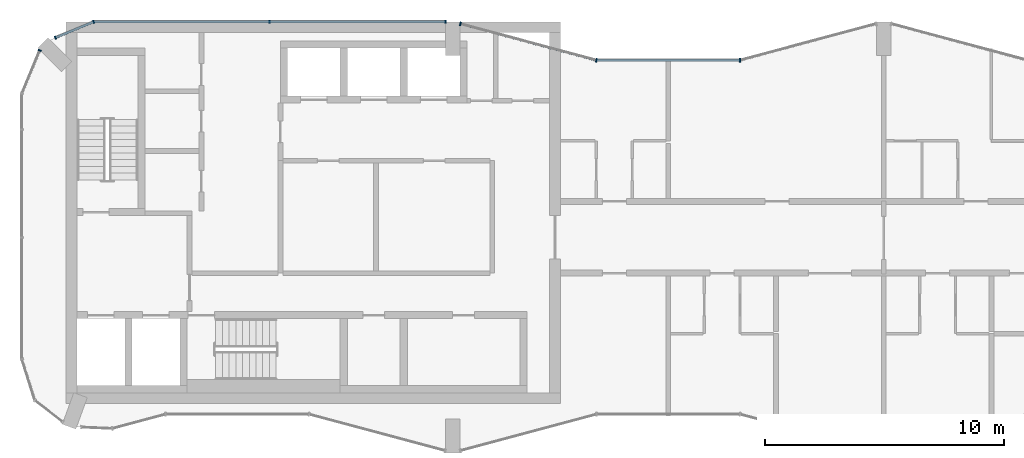
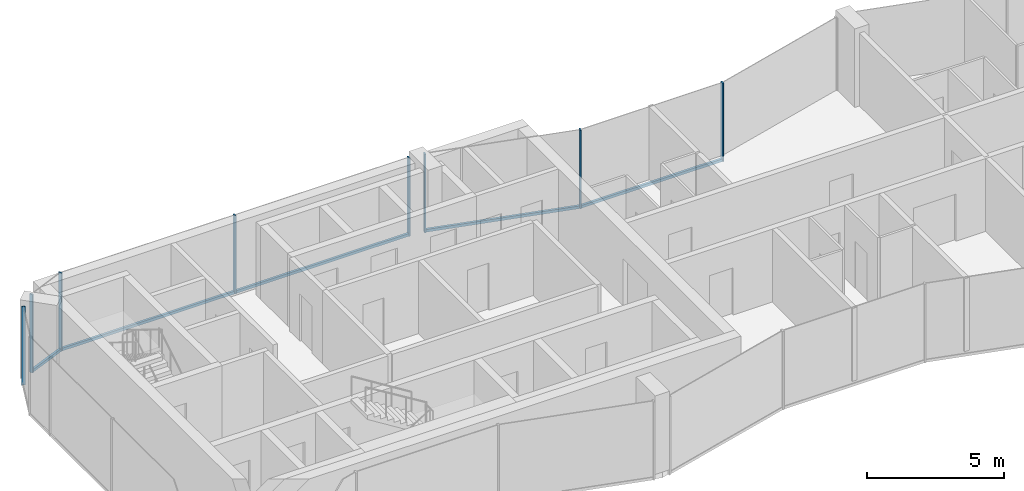
# One storey, part 4 of 10: 12 members, 5 elements without a shape of their own.
"""IFC4 building model written with IfcOpenShell, lengths in metres."""

from ifc_helpers import new_model, si_unit, direction, frame, origin, origin_2d, place, context, subcontext, project, spatial, rectangle, extrude, material, layer, layer_set, material_profile, profile_set, type_object, element, aggregate, save


model = new_model("IFC4")

# Units and contexts
model_context = context("Model", 3, precision=1e-05, world=origin(), true_north=direction((0.0, 1.0)))
body_context = subcontext(model_context, "Body", "Model", "MODEL_VIEW")
ifc_project = project(units=[si_unit("LENGTHUNIT", "METRE"), si_unit("AREAUNIT", "SQUARE_METRE"), si_unit("VOLUMEUNIT", "CUBIC_METRE"), si_unit("PLANEANGLEUNIT", "RADIAN"), si_unit("MASSUNIT", "GRAM", prefix="KILO")], contexts=[model_context])

# Site, building, storey
site_placement = place(None, origin())
site = spatial("IfcSite", under=ifc_project, at=site_placement, CompositionType="ELEMENT")
building_placement = place(site_placement, origin())
building = spatial("IfcBuilding", under=site, at=building_placement, Name="Plateau Cross Towers", CompositionType="ELEMENT")
storey_placement = place(building_placement, frame((0.0, 0.0, 263.39990234375)))
storey = spatial("IfcBuildingStorey", under=building, at=storey_placement, Name="L69", CompositionType="ELEMENT", Elevation=263.39990234375)

# Curtain wall, members
ifc_material_1 = material(Name="Dark low-iron glass", Category="glass")
ifc_layer_1 = layer(ifc_material_1, 0.239990234375)
ifc_layer_set_1 = layer_set([ifc_layer_1], Name="Dark low-iron glass")
curtain_wall_type_1 = type_object("IfcCurtainWallType", Name="Curtain wall flush unitised CW-B", PredefinedType="NOTDEFINED", material=ifc_layer_set_1)
curtain_wall_1_placement = place(storey_placement, origin())
curtain_wall_1 = element("IfcCurtainWall", 1, at=curtain_wall_1_placement, inside=storey, type_object=curtain_wall_type_1, Name="ENV/A/L69/A177_180", PredefinedType="NOTDEFINED")
ifc_material_2 = material(Name="Black anodised aluminium", Category="aluminium")
ifc_material_profile_1 = material_profile(ifc_material_2, rectangle(XDim=0.06005859375, YDim=0.139892578125, at=origin_2d()), Name="MULLION 60x140")
ifc_profile_set_1 = profile_set([ifc_material_profile_1], Name="Black anodised aluminium")
member_type_1 = type_object("IfcMemberType", Name="Mullion 60x140 flush unitised", PredefinedType="MULLION", material=ifc_profile_set_1)
member_1_placement = place(storey_placement, frame((17.699951171875, 18.0, -0.25), z_axis=(0.0, 0.0, 1.0), x_axis=(-1.0, 0.0, 0.0)))
member_1 = element("IfcMember", 2, at=member_1_placement, type_object=member_type_1, Name="CW-B mullion 1", PredefinedType="MULLION", context=body_context, shape_type="SweptSolid", body=[
    extrude(rectangle(XDim=0.06005859375, YDim=0.139892578125, at=origin_2d()), origin(), (0.0, 0.0, 1.0), 3.5),
])
member_2_placement = place(storey_placement, frame((10.35009765625, 18.0, -0.25), z_axis=(0.0, 0.0, 1.0), x_axis=(-1.0, 0.0, 0.0)))
member_2 = element("IfcMember", 3, at=member_2_placement, type_object=member_type_1, Name="CW-B mullion 2", PredefinedType="MULLION", context=body_context, shape_type="SweptSolid", body=[
    extrude(rectangle(XDim=0.06005859375, YDim=0.139892578125, at=origin_2d()), origin(), (0.0, 0.0, 1.0), 3.5),
])

curtain_wall_2_placement = place(storey_placement, origin())
curtain_wall_2 = element("IfcCurtainWall", 4, at=curtain_wall_2_placement, inside=storey, type_object=curtain_wall_type_1, Name="ENV/A/L69/A30_180", PredefinedType="NOTDEFINED")
member_3_placement = place(storey_placement, frame((3.0, 18.0, -0.25), z_axis=(0.0, 0.0, 1.0), x_axis=(-0.923879457699, -0.382683612978, 0.0)))
member_3 = element("IfcMember", 5, at=member_3_placement, type_object=member_type_1, Name="CW-B mullion 1", PredefinedType="MULLION", context=body_context, shape_type="SweptSolid", body=[
    extrude(rectangle(XDim=0.06005859375, YDim=0.139892578125, at=origin_2d()), origin(), (0.0, 0.0, 1.0), 3.5),
])
member_4_placement = place(storey_placement, frame((1.4033203125, 17.338623046875, -0.25), z_axis=(0.0, 0.0, 1.0), x_axis=(-0.923879457699, -0.382683612978, 0.0)))
member_4 = element("IfcMember", 6, at=member_4_placement, type_object=member_type_1, Name="CW-B mullion 2", PredefinedType="MULLION", context=body_context, shape_type="SweptSolid", body=[
    extrude(rectangle(XDim=0.06005859375, YDim=0.139892578125, at=origin_2d()), origin(), (0.0, 0.0, 1.0), 3.5),
])

# Curtain wall, member
curtain_wall_3_placement = place(storey_placement, origin())
curtain_wall_3 = element("IfcCurtainWall", 7, at=curtain_wall_3_placement, inside=storey, type_object=curtain_wall_type_1, Name="ENV/A/L69/A7_168", PredefinedType="NOTDEFINED")
member_5_placement = place(storey_placement, frame((0.748046875, 16.805908203125, -0.25), z_axis=(0.0, 0.0, 1.0), x_axis=(-0.382683612978, -0.923879457699, 0.0)))
member_5 = element("IfcMember", 8, at=member_5_placement, type_object=member_type_1, Name="CW-B mullion 1", PredefinedType="MULLION", context=body_context, shape_type="SweptSolid", body=[
    extrude(rectangle(XDim=0.06005859375, YDim=0.139892578125, at=origin_2d()), origin(), (0.0, 0.0, 1.0), 3.5),
])
aggregate(curtain_wall_3, [member_5])

ifc_layer_2 = layer(ifc_material_1, 0.260009765625)
ifc_layer_set_2 = layer_set([ifc_layer_2], Name="Dark low-iron glass")
curtain_wall_type_2 = type_object("IfcCurtainWallType", Name="Curtain wall fluted unitised CW-A", PredefinedType="NOTDEFINED", material=ifc_layer_set_2)
curtain_wall_4_placement = place(storey_placement, origin())
curtain_wall_4 = element("IfcCurtainWall", 9, at=curtain_wall_4_placement, inside=storey, type_object=curtain_wall_type_2, Name="ENV/A/L69/A300_164", PredefinedType="NOTDEFINED")
ifc_material_profile_2 = material_profile(ifc_material_2, rectangle(XDim=0.06005859375, YDim=0.159912109375, at=origin_2d()), Name="MULLION 60x160")
ifc_profile_set_2 = profile_set([ifc_material_profile_2], Name="Black anodised aluminium")
member_type_2 = type_object("IfcMemberType", Name="Mullion 60x160 fluted unitised", PredefinedType="MULLION", material=ifc_profile_set_2)
member_6_placement = place(storey_placement, frame((30.0, 16.39306640625, -0.25), z_axis=(0.0, 0.0, 1.0), x_axis=(-1.0, 0.0, 0.0)))
member_6 = element("IfcMember", 10, at=member_6_placement, type_object=member_type_2, Name="CW-A mullion 1", PredefinedType="MULLION", context=body_context, shape_type="SweptSolid", body=[
    extrude(rectangle(XDim=0.06005859375, YDim=0.159912109375, at=origin_2d()), origin(), (0.0, 0.0, 1.0), 3.5),
])

# Curtain wall, members
curtain_wall_5_placement = place(storey_placement, origin())
curtain_wall_5 = element("IfcCurtainWall", 11, at=curtain_wall_5_placement, inside=storey, type_object=curtain_wall_type_2, Name="ENV/A/L69/A240_164", PredefinedType="NOTDEFINED")
member_7_placement = place(storey_placement, frame((24.0, 16.39306640625, -0.25), z_axis=(0.0, 0.0, 1.0), x_axis=(-0.965957983404, 0.258699003279, 0.0)))
member_7 = element("IfcMember", 12, at=member_7_placement, type_object=member_type_2, Name="CW-A mullion 1", PredefinedType="MULLION", context=body_context, shape_type="SweptSolid", body=[
    extrude(rectangle(XDim=0.06005859375, YDim=0.159912109375, at=origin_2d()), origin(), (0.0, 0.0, 1.0), 3.5),
])
member_8_placement = place(storey_placement, frame((18.31787109375, 17.914794921875, -0.25), z_axis=(0.0, 0.0, 1.0), x_axis=(-0.965957983404, 0.258699003279, 0.0)))
member_8 = element("IfcMember", 13, at=member_8_placement, type_object=member_type_2, Name="CW-A mullion 2", PredefinedType="MULLION", context=body_context, shape_type="SweptSolid", body=[
    extrude(rectangle(XDim=0.06005859375, YDim=0.159912109375, at=origin_2d()), origin(), (0.0, 0.0, 1.0), 3.5),
])

# Member
ifc_material_profile_3 = material_profile(ifc_material_2, rectangle(XDim=0.10009765625, YDim=0.1201171875, at=origin_2d()), Name="TRANSOM 100x120")
ifc_profile_set_3 = profile_set([ifc_material_profile_3], Name="Black anodised aluminium")
member_type_3 = type_object("IfcMemberType", Name="Transom 100x120 flush unitised", PredefinedType="USERDEFINED", material=ifc_profile_set_3)
member_9_placement = place(storey_placement, frame((17.699951171875, 18.0, -0.18994140625), z_axis=(-1.0, 0.0, 0.0), x_axis=(0.0, -1.0, 0.0)))
member_9 = element("IfcMember", 14, at=member_9_placement, type_object=member_type_3, Name="CW-B transom", ObjectType="TRANSOM", PredefinedType="USERDEFINED", context=body_context, shape_type="SweptSolid", body=[
    extrude(rectangle(XDim=0.10009765625, YDim=0.1201171875, at=origin_2d()), origin(), (0.0, 0.0, 1.0), 14.699951171875),
])

aggregate(curtain_wall_1, [member_1, member_2, member_9])

member_10_placement = place(storey_placement, frame((3.0, 18.0, -0.18994140625), z_axis=(-0.923877369776, -0.382688653628, 0.0), x_axis=(0.382688653628, -0.923877369776, 0.0)))
member_10 = element("IfcMember", 15, at=member_10_placement, type_object=member_type_3, Name="CW-B transom", ObjectType="TRANSOM", PredefinedType="USERDEFINED", context=body_context, shape_type="SweptSolid", body=[
    extrude(rectangle(XDim=0.10009765625, YDim=0.1201171875, at=origin_2d()), origin(), (0.0, 0.0, 1.0), 1.728271484375),
])

aggregate(curtain_wall_2, [member_3, member_4, member_10])

ifc_material_profile_4 = material_profile(ifc_material_2, rectangle(XDim=0.10009765625, YDim=0.1201171875, at=origin_2d()), Name="TRANSOM 100x120")
ifc_profile_set_4 = profile_set([ifc_material_profile_4], Name="Black anodised aluminium")
member_type_4 = type_object("IfcMemberType", Name="Transom 100x120 fluted unitised", PredefinedType="USERDEFINED", material=ifc_profile_set_4)
member_11_placement = place(storey_placement, frame((30.0, 16.39306640625, -0.18994140625), z_axis=(-1.0, 0.0, 0.0), x_axis=(0.0, -1.0, 0.0)))
member_11 = element("IfcMember", 16, at=member_11_placement, type_object=member_type_4, Name="CW-A transom", ObjectType="TRANSOM", PredefinedType="USERDEFINED", context=body_context, shape_type="SweptSolid", body=[
    extrude(rectangle(XDim=0.10009765625, YDim=0.1201171875, at=origin_2d()), origin(), (0.0, 0.0, 1.0), 6.0),
])

aggregate(curtain_wall_4, [member_6, member_11])

member_12_placement = place(storey_placement, frame((24.0, 16.39306640625, -0.18994140625), z_axis=(-0.965959534794, 0.258693210465, 0.0), x_axis=(-0.258693210465, -0.965959534794, 0.0)))
member_12 = element("IfcMember", 17, at=member_12_placement, type_object=member_type_4, Name="CW-A transom", ObjectType="TRANSOM", PredefinedType="USERDEFINED", context=body_context, shape_type="SweptSolid", body=[
    extrude(rectangle(XDim=0.10009765625, YDim=0.1201171875, at=origin_2d()), origin(), (0.0, 0.0, 1.0), 5.88232421875),
])

aggregate(curtain_wall_5, [member_7, member_8, member_12])

save(model, "model.ifc")
